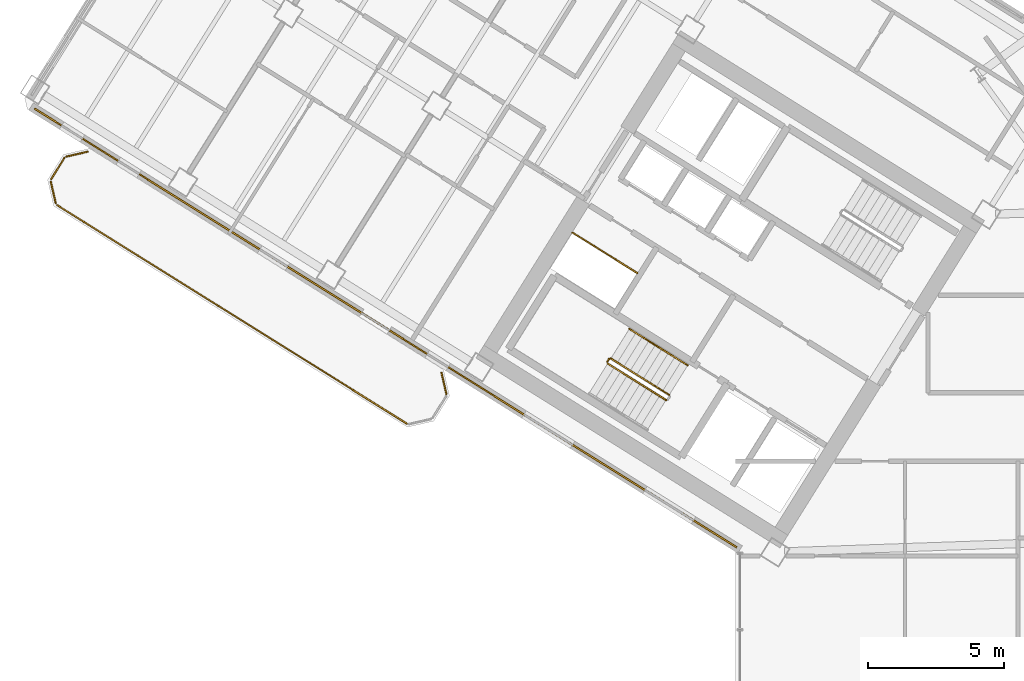
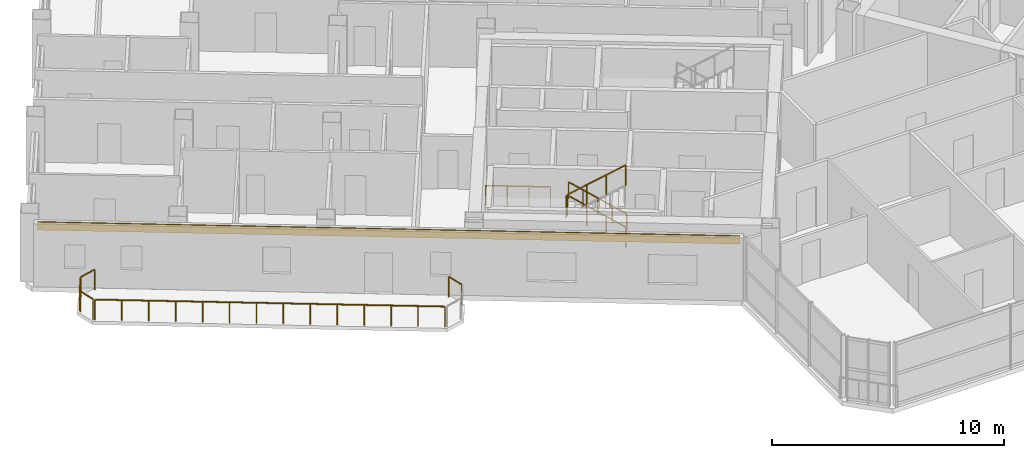
# One storey, part 18 of 21: 11 railings, 1 covering.
"""IFC4 building model written with IfcOpenShell, lengths in metres."""

from ifc_helpers import new_model, si_unit, direction, frame, origin, origin_2d, place, context, subcontext, project, spatial, rectangle, extrude, source, transform, mapped, material, layer, layer_set, type_object, element, save


model = new_model("IFC4")

# Units and contexts
model_context = context("Model", 3, precision=1e-05, world=origin(), true_north=direction((0.0, 1.0)))
body_context = subcontext(model_context, "Body", "Model", "MODEL_VIEW")
ifc_project = project(units=[si_unit("LENGTHUNIT", "METRE"), si_unit("AREAUNIT", "SQUARE_METRE"), si_unit("VOLUMEUNIT", "CUBIC_METRE"), si_unit("PLANEANGLEUNIT", "RADIAN"), si_unit("MASSUNIT", "GRAM", prefix="KILO")], contexts=[model_context])

# Site, building, storey
site_placement = place(None, origin())
site = spatial("IfcSite", under=ifc_project, at=site_placement, CompositionType="ELEMENT")
building_placement = place(site_placement, origin())
building = spatial("IfcBuilding", under=site, at=building_placement, Name="Tlacorven Tower", CompositionType="ELEMENT")
storey_placement = place(building_placement, frame((0.0, 0.0, 191.39990234375)))
storey = spatial("IfcBuildingStorey", under=building, at=storey_placement, Name="L48", CompositionType="ELEMENT", Elevation=191.39990234375)

# Railings
ifc_material_1 = material(Name="Aluminium and painted steel balustrade", Category="steel")
railing_type_1 = type_object("IfcRailingType", Name="RL-GRD-1100", PredefinedType="GUARDRAIL", material=ifc_material_1)
shared_shape_1 = source(origin(), body_context, "Body", "SweptSolid", [
    extrude(rectangle(XDim=0.048095703125, YDim=0.048095703125, at=origin_2d()), frame((0.0, 0.0, 1.076171875), z_axis=(-0.848091358275, 0.529850024081, 0.0), x_axis=(-0.529850024081, -0.848091358275, 0.0)), (0.0, 0.0, 1.0), 2.800048828125),
    extrude(rectangle(XDim=0.0419921875, YDim=0.0419921875, at=origin_2d()), origin(), (0.0, 0.0, 1.0), 1.052001953125),
    extrude(rectangle(XDim=0.0419921875, YDim=0.0419921875, at=origin_2d()), frame((-0.79150390625, 0.49462890625, 0.0)), (0.0, 0.0, 1.0), 1.052001953125),
    extrude(rectangle(XDim=0.0419921875, YDim=0.0419921875, at=origin_2d()), frame((-1.583251953125, 0.989013671875, 0.0)), (0.0, 0.0, 1.0), 1.052001953125),
    extrude(rectangle(XDim=0.0419921875, YDim=0.0419921875, at=origin_2d()), frame((-2.374755859375, 1.483642578125, 0.0)), (0.0, 0.0, 1.0), 1.052001953125),
])
railing_1_placement = place(storey_placement, frame((27.9912109375, 22.32080078125, 0.0)))
element("IfcRailing", 1, at=railing_1_placement, inside=storey, type_object=railing_type_1, Name="L48 Electrical Riser W Shaft Guard 1", PredefinedType="GUARDRAIL", context=body_context, shape_type="MappedRepresentation", body=[
    mapped(shared_shape_1, transform((0.0, 0.0, 0.0), scale=1.0)),
])
railing_type_2 = type_object("IfcRailingType", Name="RL-BAL-1100", PredefinedType="BALUSTRADE", material=ifc_material_1)
shared_shape_2 = source(origin(), body_context, "Body", "SweptSolid", [
    extrude(rectangle(XDim=0.048095703125, YDim=0.048095703125, at=origin_2d()), frame((0.0, 0.0, 1.076171875), z_axis=(0.225058334816, -0.974345290916, 0.0), x_axis=(0.974345290916, 0.225058334816, 0.0)), (0.0, 0.0, 1.0), 0.80712890625),
    extrude(rectangle(XDim=0.0419921875, YDim=0.0419921875, at=origin_2d()), origin(), (0.0, 0.0, 1.0), 1.052001953125),
    extrude(rectangle(XDim=0.0419921875, YDim=0.0419921875, at=origin_2d()), frame((0.181640625, -0.786376953125, 0.0)), (0.0, 0.0, 1.0), 1.052001953125),
])
railing_2_placement = place(storey_placement, frame((20.809814453125, 18.671142578125, 0.0)))
element("IfcRailing", 2, at=railing_2_placement, inside=storey, type_object=railing_type_2, Name="BAL-L48-W-OUT Guard Railing 1", PredefinedType="BALUSTRADE", context=body_context, shape_type="MappedRepresentation", body=[
    mapped(shared_shape_2, transform((0.0, 0.0, 0.0), scale=1.0)),
])
shared_shape_3 = source(origin(), body_context, "Body", "SweptSolid", [
    extrude(rectangle(XDim=0.048095703125, YDim=0.048095703125, at=origin_2d()), frame((0.0, 0.0, 1.076171875), z_axis=(-0.225058334816, 0.974345290916, 0.0), x_axis=(-0.974345290916, -0.225058334816, 0.0)), (0.0, 0.0, 1.0), 0.80712890625),
    extrude(rectangle(XDim=0.0419921875, YDim=0.0419921875, at=origin_2d()), origin(), (0.0, 0.0, 1.0), 1.052001953125),
    extrude(rectangle(XDim=0.0419921875, YDim=0.0419921875, at=origin_2d()), frame((-0.181640625, 0.786376953125, 0.0)), (0.0, 0.0, 1.0), 1.052001953125),
])
railing_3_placement = place(storey_placement, frame((6.66650390625, 24.88623046875, 0.0)))
element("IfcRailing", 3, at=railing_3_placement, inside=storey, type_object=railing_type_2, Name="BAL-L48-W-OUT Guard Railing 5", PredefinedType="BALUSTRADE", context=body_context, shape_type="MappedRepresentation", body=[
    mapped(shared_shape_3, transform((0.0, 0.0, 0.0), scale=1.0)),
])
shared_shape_4 = source(origin(), body_context, "Body", "SweptSolid", [
    extrude(rectangle(XDim=0.048095703125, YDim=0.048095703125, at=origin_2d()), frame((0.0, 0.0, 1.076171875), z_axis=(0.974411586182, 0.224771129628, 0.0), x_axis=(-0.224771129628, 0.974411586182, 0.0)), (0.0, 0.0, 1.0), 0.80712890625),
    extrude(rectangle(XDim=0.0419921875, YDim=0.0419921875, at=origin_2d()), origin(), (0.0, 0.0, 1.0), 1.052001953125),
    extrude(rectangle(XDim=0.0419921875, YDim=0.0419921875, at=origin_2d()), frame((0.786376953125, 0.181396484375, 0.0)), (0.0, 0.0, 1.0), 1.052001953125),
])
railing_4_placement = place(storey_placement, frame((7.05859375, 26.591064453125, 0.0)))
element("IfcRailing", 4, at=railing_4_placement, inside=storey, type_object=railing_type_2, Name="BAL-L48-W-OUT Guard Railing 7", PredefinedType="BALUSTRADE", context=body_context, shape_type="MappedRepresentation", body=[
    mapped(shared_shape_4, transform((0.0, 0.0, 0.0), scale=1.0)),
])
shared_shape_5 = source(origin(), body_context, "Body", "SweptSolid", [
    extrude(rectangle(XDim=0.048095703125, YDim=0.048095703125, at=origin_2d()), frame((0.0, 0.0, 1.076171875), z_axis=(0.529998940003, 0.847998304005, 0.0), x_axis=(-0.847998304005, 0.529998940003, 0.0)), (0.0, 0.0, 1.0), 0.912109375),
    extrude(rectangle(XDim=0.0419921875, YDim=0.0419921875, at=origin_2d()), origin(), (0.0, 0.0, 1.0), 1.052001953125),
    extrude(rectangle(XDim=0.0419921875, YDim=0.0419921875, at=origin_2d()), frame((0.4833984375, 0.7734375, 0.0)), (0.0, 0.0, 1.0), 1.052001953125),
])
railing_5_placement = place(storey_placement, frame((6.5, 25.763916015625, 0.0)))
element("IfcRailing", 5, at=railing_5_placement, inside=storey, type_object=railing_type_2, Name="BAL-L48-W-OUT Guard Railing 6", PredefinedType="BALUSTRADE", context=body_context, shape_type="MappedRepresentation", body=[
    mapped(shared_shape_5, transform((0.0, 0.0, 0.0), scale=1.0)),
])

# Covering
ifc_material_2 = material(Name="Precast concrete C45/55", Category="concrete")
ifc_layer = layer(ifc_material_2, 0.06005859375)
ifc_layer_set = layer_set([ifc_layer], Name="Precast concrete C45/55")
covering_type = type_object("IfcCoveringType", Name="CV-CLD-TERC", PredefinedType="CLADDING", material=ifc_layer_set)
shared_shape_6 = source(origin(), body_context, "Body", "SweptSolid", [
    extrude(rectangle(XDim=30.35205078125, YDim=0.06005859375, at=origin_2d()), origin(), (0.0, 0.0, 1.0), 0.419921875),
])
covering_placement = place(storey_placement, frame((18.7626953125, 20.3046875, 2.900146484375), z_axis=(0.0, 0.0, 1.0), x_axis=(-0.848048152806, 0.529919173576, 0.0)))
element("IfcCovering", 6, at=covering_placement, inside=storey, type_object=covering_type, Name="L48 Masonry-Frame Spandrel Cladding 1", PredefinedType="CLADDING", context=body_context, shape_type="MappedRepresentation", body=[
    mapped(shared_shape_6, transform((0.0, 0.0, 0.0), scale=1.0)),
])

# Railings
shared_shape_7 = source(origin(), body_context, "Body", "SweptSolid", [
    extrude(rectangle(XDim=0.048095703125, YDim=0.048095703125, at=origin_2d()), frame((0.0, 0.0, 1.076171875), z_axis=(-0.848051830527, 0.529913287944, 0.0), x_axis=(-0.529913287944, -0.848051830527, 0.0)), (0.0, 0.0, 1.0), 15.1171875),
    extrude(rectangle(XDim=0.0419921875, YDim=0.0419921875, at=origin_2d()), origin(), (0.0, 0.0, 1.0), 1.052001953125),
    extrude(rectangle(XDim=0.0419921875, YDim=0.0419921875, at=origin_2d()), frame((-0.986083984375, 0.6162109375, 0.0)), (0.0, 0.0, 1.0), 1.052001953125),
    extrude(rectangle(XDim=0.0419921875, YDim=0.0419921875, at=origin_2d()), frame((-1.972412109375, 1.232421875, 0.0)), (0.0, 0.0, 1.0), 1.052001953125),
    extrude(rectangle(XDim=0.0419921875, YDim=0.0419921875, at=origin_2d()), frame((-2.95849609375, 1.8486328125, 0.0)), (0.0, 0.0, 1.0), 1.052001953125),
    extrude(rectangle(XDim=0.0419921875, YDim=0.0419921875, at=origin_2d()), frame((-3.944580078125, 2.46484375, 0.0)), (0.0, 0.0, 1.0), 1.052001953125),
    extrude(rectangle(XDim=0.0419921875, YDim=0.0419921875, at=origin_2d()), frame((-4.930908203125, 3.0810546875, 0.0)), (0.0, 0.0, 1.0), 1.052001953125),
    extrude(rectangle(XDim=0.0419921875, YDim=0.0419921875, at=origin_2d()), frame((-5.9169921875, 3.697265625, 0.0)), (0.0, 0.0, 1.0), 1.052001953125),
    extrude(rectangle(XDim=0.0419921875, YDim=0.0419921875, at=origin_2d()), frame((-6.903076171875, 4.3134765625, 0.0)), (0.0, 0.0, 1.0), 1.052001953125),
    extrude(rectangle(XDim=0.0419921875, YDim=0.0419921875, at=origin_2d()), frame((-7.88916015625, 4.9296875, 0.0)), (0.0, 0.0, 1.0), 1.052001953125),
    extrude(rectangle(XDim=0.0419921875, YDim=0.0419921875, at=origin_2d()), frame((-8.87548828125, 5.5458984375, 0.0)), (0.0, 0.0, 1.0), 1.052001953125),
    extrude(rectangle(XDim=0.0419921875, YDim=0.0419921875, at=origin_2d()), frame((-9.861572265625, 6.162109375, 0.0)), (0.0, 0.0, 1.0), 1.052001953125),
    extrude(rectangle(XDim=0.0419921875, YDim=0.0419921875, at=origin_2d()), frame((-10.84765625, 6.7783203125, 0.0)), (0.0, 0.0, 1.0), 1.052001953125),
    extrude(rectangle(XDim=0.0419921875, YDim=0.0419921875, at=origin_2d()), frame((-11.833984375, 7.39453125, 0.0)), (0.0, 0.0, 1.0), 1.052001953125),
    extrude(rectangle(XDim=0.0419921875, YDim=0.0419921875, at=origin_2d()), frame((-12.820068359375, 8.0107421875, 0.0)), (0.0, 0.0, 1.0), 1.052001953125),
])
railing_6_placement = place(storey_placement, frame((19.5400390625, 16.80029296875, 0.0)))
element("IfcRailing", 7, at=railing_6_placement, inside=storey, type_object=railing_type_2, Name="BAL-L48-W-OUT Guard Railing 4", PredefinedType="BALUSTRADE", context=body_context, shape_type="MappedRepresentation", body=[
    mapped(shared_shape_7, transform((0.0, 0.0, 0.0), scale=1.0)),
])
shared_shape_8 = source(origin(), body_context, "Body", "SweptSolid", [
    extrude(rectangle(XDim=0.048095703125, YDim=0.048095703125, at=origin_2d()), frame((0.0, 0.0, 1.076171875), z_axis=(-0.530546985787, -0.847655529016, 0.0), x_axis=(0.847655529016, -0.530546985787, 0.0)), (0.0, 0.0, 1.0), 0.1201171875),
    extrude(rectangle(XDim=0.0419921875, YDim=0.0419921875, at=origin_2d()), origin(), (0.0, 0.0, 1.0), 1.052001953125),
    extrude(rectangle(XDim=0.0419921875, YDim=0.0419921875, at=origin_2d()), frame((-0.063720703125, -0.101806640625, 0.0)), (0.0, 0.0, 1.0), 1.052001953125),
])
railing_7_placement = place(storey_placement, frame((26.954833984375, 19.17138671875, 1.800048828125)))
element("IfcRailing", 8, at=railing_7_placement, inside=storey, type_object=railing_type_1, Name="L48 ST-W1 stair guard 2", PredefinedType="GUARDRAIL", context=body_context, shape_type="MappedRepresentation", body=[
    mapped(shared_shape_8, transform((0.0, 0.0, 0.0), scale=1.0)),
])
shared_shape_9 = source(origin(), body_context, "Body", "SweptSolid", [
    extrude(rectangle(XDim=0.048095703125, YDim=0.048095703125, at=origin_2d()), frame((0.0, 0.0, 1.076171875), z_axis=(0.713359751793, -0.4457479829, 0.540764828981), x_axis=(0.529911857636, 0.848052724267, 0.0)), (0.0, 0.0, 1.0), 2.99609375),
    extrude(rectangle(XDim=0.0419921875, YDim=0.0419921875, at=origin_2d()), origin(), (0.0, 0.0, 1.0), 1.052001953125),
    extrude(rectangle(XDim=0.0419921875, YDim=0.0419921875, at=origin_2d()), frame((0.71240234375, -0.445068359375, 0.5400390625)), (0.0, 0.0, 1.0), 1.052001953125),
    extrude(rectangle(XDim=0.0419921875, YDim=0.0419921875, at=origin_2d()), frame((1.4248046875, -0.890380859375, 1.080078125)), (0.0, 0.0, 1.0), 1.052001953125),
    extrude(rectangle(XDim=0.0419921875, YDim=0.0419921875, at=origin_2d()), frame((2.13720703125, -1.33544921875, 1.6201171875)), (0.0, 0.0, 1.0), 1.052001953125),
])
railing_8_placement = place(storey_placement, frame((26.906982421875, 19.000732421875, 1.97998046875)))
element("IfcRailing", 9, at=railing_8_placement, inside=storey, type_object=railing_type_1, Name="L48 ST-W1 stair guard 3", PredefinedType="GUARDRAIL", context=body_context, shape_type="MappedRepresentation", body=[
    mapped(shared_shape_9, transform((0.0, 0.0, 0.0), scale=1.0)),
])
railing_type_3 = type_object("IfcRailingType", Name="RL-HND-0900", PredefinedType="HANDRAIL", material=ifc_material_1)
shared_shape_10 = source(origin(), body_context, "Body", "SweptSolid", [
    extrude(rectangle(XDim=0.048095703125, YDim=0.048095703125, at=origin_2d()), frame((0.0, 0.0, 0.8759765625), z_axis=(-0.713359751793, 0.4457479829, 0.540764828981), x_axis=(-0.529911857636, -0.848052724267, 0.0)), (0.0, 0.0, 1.0), 1.498046875),
    extrude(rectangle(XDim=0.0419921875, YDim=0.0419921875, at=origin_2d()), origin(), (0.0, 0.0, 1.0), 0.851806640625),
    extrude(rectangle(XDim=0.0419921875, YDim=0.0419921875, at=origin_2d()), frame((-0.5341796875, 0.333984375, 0.405029296875)), (0.0, 0.0, 1.0), 0.851806640625),
    extrude(rectangle(XDim=0.0419921875, YDim=0.0419921875, at=origin_2d()), frame((-1.068603515625, 0.667724609375, 0.81005859375)), (0.0, 0.0, 1.0), 0.851806640625),
])
railing_9_placement = place(storey_placement, frame((28.7705078125, 19.60498046875, 0.989990234375)))
element("IfcRailing", 10, at=railing_9_placement, inside=storey, type_object=railing_type_3, Name="L48 ST-W1 stair handrail 2", PredefinedType="HANDRAIL", context=body_context, shape_type="MappedRepresentation", body=[
    mapped(shared_shape_10, transform((0.0, 0.0, 0.0), scale=1.0)),
])
shared_shape_11 = source(origin(), body_context, "Body", "SweptSolid", [
    extrude(rectangle(XDim=0.048095703125, YDim=0.048095703125, at=origin_2d()), frame((0.0, 0.0, 1.076171875), z_axis=(-0.713351164325, 0.445793541512, 0.540738601085), x_axis=(-0.529955395941, -0.84802551749, 0.0)), (0.0, 0.0, 1.0), 2.99560546875),
    extrude(rectangle(XDim=0.0419921875, YDim=0.0419921875, at=origin_2d()), origin(), (0.0, 0.0, 1.0), 1.052001953125),
    extrude(rectangle(XDim=0.0419921875, YDim=0.0419921875, at=origin_2d()), frame((-0.71240234375, 0.445068359375, 0.5400390625)), (0.0, 0.0, 1.0), 1.052001953125),
    extrude(rectangle(XDim=0.0419921875, YDim=0.0419921875, at=origin_2d()), frame((-1.424560546875, 0.890380859375, 1.079833984375)), (0.0, 0.0, 1.0), 1.052001953125),
    extrude(rectangle(XDim=0.0419921875, YDim=0.0419921875, at=origin_2d()), frame((-2.136962890625, 1.33544921875, 1.619873046875)), (0.0, 0.0, 1.0), 1.052001953125),
])
railing_10_placement = place(storey_placement, frame((29.16064453125, 17.851806640625, 0.18017578125)))
element("IfcRailing", 11, at=railing_10_placement, inside=storey, type_object=railing_type_1, Name="L48 ST-W1 stair guard 1", PredefinedType="GUARDRAIL", context=body_context, shape_type="MappedRepresentation", body=[
    mapped(shared_shape_11, transform((0.0, 0.0, 0.0), scale=1.0)),
])
shared_shape_12 = source(origin(), body_context, "Body", "SweptSolid", [
    extrude(rectangle(XDim=0.048095703125, YDim=0.048095703125, at=origin_2d()), frame((0.0, 0.0, 0.8759765625), z_axis=(-0.713422621445, 0.445787267455, 0.540649494022), x_axis=(-0.529911857636, -0.848052724267, 0.0)), (0.0, 0.0, 1.0), 1.497802734375),
    extrude(rectangle(XDim=0.0419921875, YDim=0.0419921875, at=origin_2d()), origin(), (0.0, 0.0, 1.0), 0.851806640625),
    extrude(rectangle(XDim=0.0419921875, YDim=0.0419921875, at=origin_2d()), frame((-0.5341796875, 0.333984375, 0.40478515625)), (0.0, 0.0, 1.0), 0.851806640625),
    extrude(rectangle(XDim=0.0419921875, YDim=0.0419921875, at=origin_2d()), frame((-1.068603515625, 0.667724609375, 0.809814453125)), (0.0, 0.0, 1.0), 0.851806640625),
])
railing_11_placement = place(storey_placement, frame((29.839111328125, 18.937255859375, 0.18017578125)))
element("IfcRailing", 12, at=railing_11_placement, inside=storey, type_object=railing_type_3, Name="L48 ST-W1 stair handrail 1", PredefinedType="HANDRAIL", context=body_context, shape_type="MappedRepresentation", body=[
    mapped(shared_shape_12, transform((0.0, 0.0, 0.0), scale=1.0)),
])

save(model, "model.ifc")
